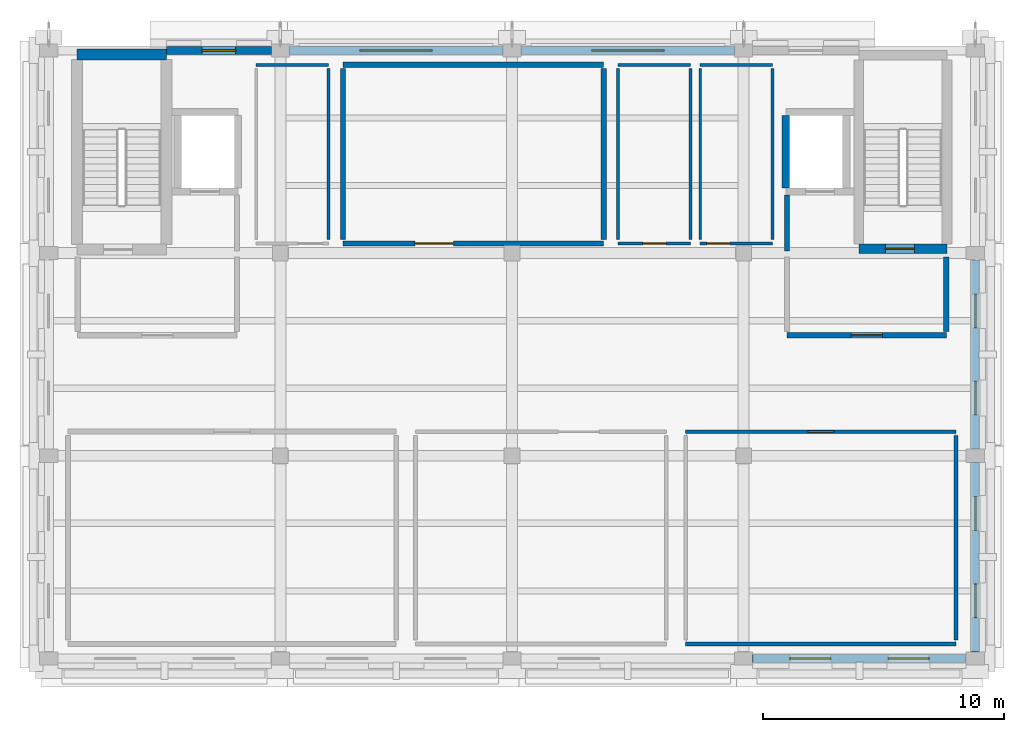
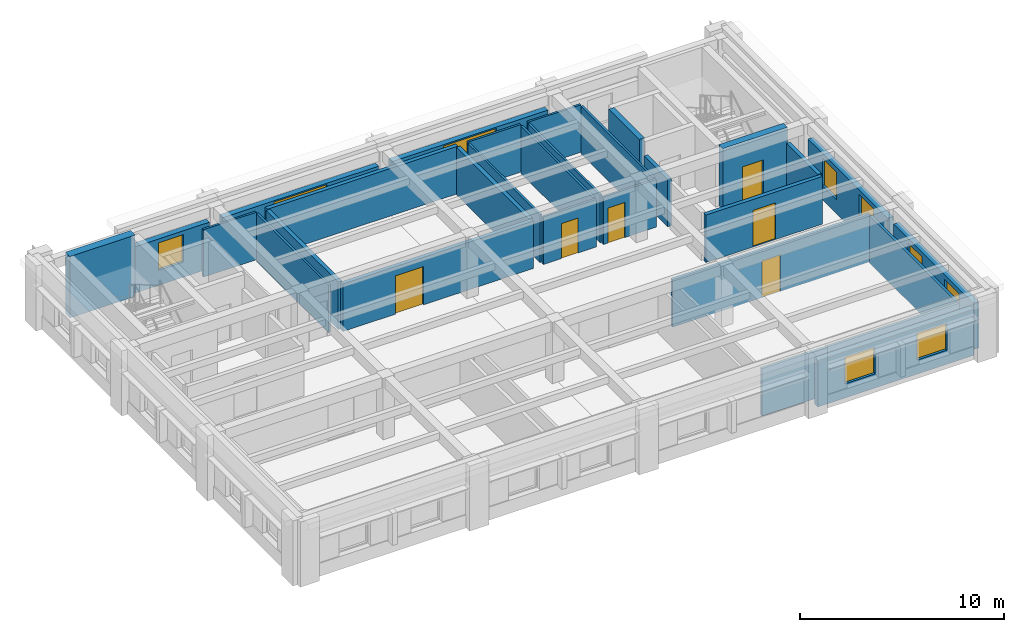
# One storey, part 5 of 9: 29 walls, 9 windows, 6 doors, 15 openings.
"""IFC4 building model written with IfcOpenShell, lengths in metres."""

from ifc_helpers import new_model, si_unit, direction, frame, frame_2d, origin, place, context, subcontext, project, spatial, rectangle, extrude, material, layer, layer_set, type_object, element, fill, save


model = new_model("IFC4")

# Units and contexts
model_context = context("Model", 3, precision=1e-05, world=origin(), true_north=direction((0.0, 1.0)))
body_context = subcontext(model_context, "Body", "Model", "MODEL_VIEW")
ifc_project = project(units=[si_unit("LENGTHUNIT", "METRE"), si_unit("AREAUNIT", "SQUARE_METRE"), si_unit("VOLUMEUNIT", "CUBIC_METRE"), si_unit("PLANEANGLEUNIT", "RADIAN"), si_unit("MASSUNIT", "GRAM", prefix="KILO")], contexts=[model_context])

# Site, building, storey
site_placement = place(None, origin())
site = spatial("IfcSite", under=ifc_project, at=site_placement, CompositionType="ELEMENT")
building_placement = place(site_placement, origin())
building = spatial("IfcBuilding", under=site, at=building_placement, Name="Bempovik Park Faculty of Sciences", CompositionType="ELEMENT")
storey_placement = place(building_placement, frame((0.0, 0.0, 46.199951171875)))
storey = spatial("IfcBuildingStorey", under=building, at=storey_placement, Name="L11", CompositionType="ELEMENT", Elevation=46.199951171875)

# Wall
ifc_material_1 = material(Name="Concrete C40/50", Category="concrete")
ifc_layer_1 = layer(ifc_material_1, 0.449951171875)
ifc_layer_set_1 = layer_set([ifc_layer_1], Name="Concrete C40/50")
wall_type_1 = type_object("IfcWallType", Name="W-15 Wall 450mm", PredefinedType="SHEAR", material=ifc_layer_set_1)
wall_1_placement = place(storey_placement, frame((70.77490234375, 119.22509765625, 0.0), z_axis=(0.0, 0.0, 1.0), x_axis=(1.0, 0.0, 0.0)))
element("IfcWall", 1, at=wall_1_placement, inside=storey, type_object=wall_type_1, Name="ST-1 L11 Core Shear Wall North", PredefinedType="SHEAR", context=body_context, shape_type="SweptSolid", body=[
    extrude(rectangle(XDim=3.7001953125, YDim=0.449951171875, at=frame_2d((1.85009765625, 0.0))), origin(), (0.0, 0.0, 1.0), 3.679931640625),
])

# Wall, opening, door
ifc_material_2 = material(Name="Gypsum acoustic stud assembly")
ifc_layer_2 = layer(ifc_material_2, 0.1201171875)
ifc_layer_set_2 = layer_set([ifc_layer_2], Name="Gypsum acoustic stud assembly")
wall_type_2 = type_object("IfcWallType", Name="W-17 Wall 120mm", PredefinedType="PARTITIONING", material=ifc_layer_set_2)
wall_2_placement = place(storey_placement, frame((93.199951171875, 111.39990234375, 0.0), z_axis=(0.0, 0.0, 1.0), x_axis=(1.0, 0.0, 0.0)))
wall_2 = element("IfcWall", 2, at=wall_2_placement, inside=storey, type_object=wall_type_2, Name="L11 L11 Male WC Partition South", PredefinedType="PARTITIONING", context=body_context, shape_type="SweptSolid", body=[
    extrude(rectangle(XDim=3.0, YDim=0.1201171875, at=frame_2d((1.5, 0.0))), origin(), (0.0, 0.0, 1.0), 2.85009765625),
])
opening_1_placement = place(wall_2_placement, frame((1.02490234375, 0.0, 0.0)))
opening_1 = element("IfcOpeningElement", 3, at=opening_1_placement, cuts=wall_2, Name="Opening D-56", PredefinedType="OPENING", context=body_context, shape_type="SweptSolid", body=[
    extrude(rectangle(XDim=0.949951171875, YDim=2.10009765625, at=frame_2d((0.47509765625, 1.050048828125))), frame((0.0, 0.070068359375, 0.0), z_axis=(0.0, -1.0, 0.0), x_axis=(1.0, 0.0, 0.0)), (0.0, 0.0, 1.0), 0.14013671875),
])
ifc_material_3 = material(Name="West African hardwood finish", Category="wood")
door_type_1 = type_object("IfcDoorType", Name="D-56 Door 950x2100", OperationType="NOTDEFINED", PredefinedType="DOOR", material=ifc_material_3)
door_1_placement = place(opening_1_placement, origin())
door_1 = element("IfcDoor", 4, at=door_1_placement, inside=storey, type_object=door_type_1, Name="L11 L11 Male WC Door", OperationType="SINGLE_SWING_RIGHT", OverallHeight=2.10009765625, OverallWidth=0.949951171875, PredefinedType="DOOR", context=body_context, shape_type="SweptSolid", body=[
    extrude(rectangle(XDim=0.949951171875, YDim=2.10009765625, at=frame_2d((0.47509765625, 1.050048828125))), frame((0.0, 0.02490234375, 0.0), z_axis=(0.0, -1.0, 0.0), x_axis=(1.0, 0.0, 0.0)), (0.0, 0.0, 1.0), 0.050048828125),
])
fill(opening_1, door_1)

# Walls
wall_3_placement = place(storey_placement, frame((93.199951171875, 118.800048828125, 0.0), z_axis=(0.0, 0.0, 1.0), x_axis=(1.0, 0.0, 0.0)))
element("IfcWall", 5, at=wall_3_placement, inside=storey, type_object=wall_type_2, Name="L11 L11 Male WC Partition North", PredefinedType="PARTITIONING", context=body_context, shape_type="SweptSolid", body=[
    extrude(rectangle(XDim=3.0, YDim=0.1201171875, at=frame_2d((1.5, 0.0))), origin(), (0.0, 0.0, 1.0), 2.85009765625),
])
for number, where, z_axis, x_axis, name in (
    (6, (93.199951171875, 111.56005859375, 0.0), (0.0, 0.0, 1.0), (0.0, 1.0, 0.0), "L11 L11 Male WC Partition West"),
    (7, (96.199951171875, 111.56005859375, 0.0), (0.0, 0.0, 1.0), (0.0, 1.0, 0.0), "L11 L11 Male WC Partition East"),
):
    element("IfcWall", number, at=place(storey_placement, frame(where, z_axis=z_axis, x_axis=x_axis)), inside=storey, type_object=wall_type_2, Name=name, PredefinedType="PARTITIONING", context=body_context, shape_type="SweptSolid", body=[
        extrude(rectangle(XDim=7.079833984375, YDim=0.1201171875, at=frame_2d((3.5400390625, 0.0))), origin(), (0.0, 0.0, 1.0), 2.85009765625),
    ])

# Wall, opening, door
wall_4_placement = place(storey_placement, frame((96.60009765625, 111.39990234375, 0.0), z_axis=(0.0, 0.0, 1.0), x_axis=(1.0, 0.0, 0.0)))
wall_4 = element("IfcWall", 8, at=wall_4_placement, inside=storey, type_object=wall_type_2, Name="L11 L11 Female WC Partition South", PredefinedType="PARTITIONING", context=body_context, shape_type="SweptSolid", body=[
    extrude(rectangle(XDim=3.0, YDim=0.1201171875, at=frame_2d((1.5, 0.0))), origin(), (0.0, 0.0, 1.0), 2.85009765625),
])
opening_2_placement = place(wall_4_placement, frame((0.27490234375, 0.0, 0.0)))
opening_2 = element("IfcOpeningElement", 9, at=opening_2_placement, cuts=wall_4, Name="Opening D-56", PredefinedType="OPENING", context=body_context, shape_type="SweptSolid", body=[
    extrude(rectangle(XDim=0.949951171875, YDim=2.10009765625, at=frame_2d((0.47509765625, 1.050048828125))), frame((0.0, 0.070068359375, 0.0), z_axis=(0.0, -1.0, 0.0), x_axis=(1.0, 0.0, 0.0)), (0.0, 0.0, 1.0), 0.14013671875),
])
door_2_placement = place(opening_2_placement, origin())
door_2 = element("IfcDoor", 10, at=door_2_placement, inside=storey, type_object=door_type_1, Name="L11 L11 Female WC Door", OperationType="SINGLE_SWING_LEFT", OverallHeight=2.10009765625, OverallWidth=0.949951171875, PredefinedType="DOOR", context=body_context, shape_type="SweptSolid", body=[
    extrude(rectangle(XDim=0.949951171875, YDim=2.10009765625, at=frame_2d((0.47509765625, 1.050048828125))), frame((0.0, 0.02490234375, 0.0), z_axis=(0.0, -1.0, 0.0), x_axis=(1.0, 0.0, 0.0)), (0.0, 0.0, 1.0), 0.050048828125),
])
fill(opening_2, door_2)

# Walls
wall_5_placement = place(storey_placement, frame((96.60009765625, 118.800048828125, 0.0), z_axis=(0.0, 0.0, 1.0), x_axis=(1.0, 0.0, 0.0)))
element("IfcWall", 11, at=wall_5_placement, inside=storey, type_object=wall_type_2, Name="L11 L11 Female WC Partition North", PredefinedType="PARTITIONING", context=body_context, shape_type="SweptSolid", body=[
    extrude(rectangle(XDim=3.0, YDim=0.1201171875, at=frame_2d((1.5, 0.0))), origin(), (0.0, 0.0, 1.0), 2.85009765625),
])
for number, where, z_axis, x_axis, name in (
    (12, (96.60009765625, 111.56005859375, 0.0), (0.0, 0.0, 1.0), (0.0, 1.0, 0.0), "L11 L11 Female WC Partition West"),
    (13, (99.60009765625, 111.56005859375, 0.0), (0.0, 0.0, 1.0), (0.0, 1.0, 0.0), "L11 L11 Female WC Partition East"),
):
    element("IfcWall", number, at=place(storey_placement, frame(where, z_axis=z_axis, x_axis=x_axis)), inside=storey, type_object=wall_type_2, Name=name, PredefinedType="PARTITIONING", context=body_context, shape_type="SweptSolid", body=[
        extrude(rectangle(XDim=7.079833984375, YDim=0.1201171875, at=frame_2d((3.5400390625, 0.0))), origin(), (0.0, 0.0, 1.0), 2.85009765625),
    ])
wall_6_placement = place(storey_placement, frame((78.199951171875, 118.800048828125, 0.0), z_axis=(0.0, 0.0, 1.0), x_axis=(1.0, 0.0, 0.0)))
element("IfcWall", 14, at=wall_6_placement, inside=storey, type_object=wall_type_2, Name="L11 L11 Accessible WC Partition North", PredefinedType="PARTITIONING", context=body_context, shape_type="SweptSolid", body=[
    extrude(rectangle(XDim=3.0, YDim=0.1201171875, at=frame_2d((1.5, 0.0))), origin(), (0.0, 0.0, 1.0), 2.85009765625),
])
wall_7_placement = place(storey_placement, frame((81.199951171875, 111.56005859375, 0.0), z_axis=(0.0, 0.0, 1.0), x_axis=(0.0, 1.0, 0.0)))
element("IfcWall", 15, at=wall_7_placement, inside=storey, type_object=wall_type_2, Name="L11 L11 Accessible WC Partition East", PredefinedType="PARTITIONING", context=body_context, shape_type="SweptSolid", body=[
    extrude(rectangle(XDim=7.079833984375, YDim=0.1201171875, at=frame_2d((3.5400390625, 0.0))), origin(), (0.0, 0.0, 1.0), 2.85009765625),
])
ifc_layer_3 = layer(ifc_material_1, 0.300048828125)
ifc_layer_set_3 = layer_set([ifc_layer_3], Name="Concrete C40/50")
wall_type_3 = type_object("IfcWallType", Name="W-31 Wall 300mm", PredefinedType="SHEAR", material=ifc_layer_set_3)
wall_8_placement = place(storey_placement, frame((100.14990234375, 113.699951171875, 0.0), z_axis=(0.0, 0.0, 1.0), x_axis=(0.0, 1.0, 0.0)))
element("IfcWall", 16, at=wall_8_placement, inside=storey, type_object=wall_type_3, Name="Lift LF-2 L11 Shaft Wall West", PredefinedType="SHEAR", context=body_context, shape_type="SweptSolid", body=[
    extrude(rectangle(XDim=3.0, YDim=0.300048828125, at=frame_2d((1.5, 0.0))), origin(), (0.0, 0.0, 1.0), 3.679931640625),
])

# Wall, opening, door
ifc_material_4 = material(Name="Concrete C35/45", Category="concrete")
ifc_layer_4 = layer(ifc_material_4, 0.219970703125)
ifc_layer_set_4 = layer_set([ifc_layer_4], Name="Concrete C35/45")
wall_type_4 = type_object("IfcWallType", Name="W-38 Wall 220mm", PredefinedType="PARTITIONING", material=ifc_layer_set_4)
wall_9_placement = place(storey_placement, frame((100.199951171875, 107.60009765625, 0.0), z_axis=(0.0, 0.0, 1.0), x_axis=(1.0, 0.0, 0.0)))
wall_9 = element("IfcWall", 17, at=wall_9_placement, inside=storey, type_object=wall_type_4, Name="L11 Firefighting Lift Lobby East Partition South", PredefinedType="PARTITIONING", context=body_context, shape_type="SweptSolid", body=[
    extrude(rectangle(XDim=6.60009765625, YDim=0.219970703125, at=frame_2d((3.300048828125, 0.0))), origin(), (0.0, 0.0, 1.0), 2.85009765625),
])
opening_3_placement = place(wall_9_placement, frame((2.64990234375, 0.0, 0.0)))
opening_3 = element("IfcOpeningElement", 18, at=opening_3_placement, cuts=wall_9, Name="Opening D-38", PredefinedType="OPENING", context=body_context, shape_type="SweptSolid", body=[
    extrude(rectangle(XDim=1.300048828125, YDim=2.199951171875, at=frame_2d((0.64990234375, 1.10009765625))), frame((0.0, 0.1201171875, 0.0), z_axis=(0.0, -1.0, 0.0), x_axis=(1.0, 0.0, 0.0)), (0.0, 0.0, 1.0), 0.239990234375),
])
ifc_material_5 = material(Name="Painted steel S355", Category="steel")
door_type_2 = type_object("IfcDoorType", Name="D-38 Door 1300x2200", OperationType="NOTDEFINED", PredefinedType="DOOR", material=ifc_material_5)
door_3_placement = place(opening_3_placement, origin())
door_3 = element("IfcDoor", 19, at=door_3_placement, inside=storey, type_object=door_type_2, Name="L11 Firefighting Lift Lobby East Door", OperationType="SINGLE_SWING_LEFT", OverallHeight=2.199951171875, OverallWidth=1.300048828125, PredefinedType="DOOR", context=body_context, shape_type="SweptSolid", body=[
    extrude(rectangle(XDim=1.300048828125, YDim=2.199951171875, at=frame_2d((0.64990234375, 1.10009765625))), frame((0.0, 0.02490234375, 0.0), z_axis=(0.0, -1.0, 0.0), x_axis=(1.0, 0.0, 0.0)), (0.0, 0.0, 1.0), 0.050048828125),
])
fill(opening_3, door_3)

# Walls
wall_10_placement = place(storey_placement, frame((100.199951171875, 111.080078125, 0.0), z_axis=(0.0, 0.0, 1.0), x_axis=(0.0, 1.0, 0.0)))
element("IfcWall", 20, at=wall_10_placement, inside=storey, type_object=wall_type_4, Name="L11 Firefighting Lobby East Lift Link Wall", PredefinedType="PARTITIONING", context=body_context, shape_type="SweptSolid", body=[
    extrude(rectangle(XDim=2.31982421875, YDim=0.219970703125, at=frame_2d((1.159912109375, 0.0))), origin(), (0.0, 0.0, 1.0), 2.85009765625),
])
wall_11_placement = place(storey_placement, frame((106.800048828125, 107.760009765625, 0.0), z_axis=(0.0, 0.0, 1.0), x_axis=(0.0, 1.0, 0.0)))
element("IfcWall", 21, at=wall_11_placement, inside=storey, type_object=wall_type_4, Name="L11 Firefighting Lift Lobby East Partition East", PredefinedType="PARTITIONING", context=body_context, shape_type="SweptSolid", body=[
    extrude(rectangle(XDim=3.080078125, YDim=0.219970703125, at=frame_2d((1.5400390625, 0.0))), origin(), (0.0, 0.0, 1.0), 2.85009765625),
])

# Wall, opening, door
wall_12_placement = place(storey_placement, frame((81.800048828125, 111.39990234375, 0.0), z_axis=(0.0, 0.0, 1.0), x_axis=(1.0, 0.0, 0.0)))
wall_12 = element("IfcWall", 22, at=wall_12_placement, inside=storey, type_object=wall_type_4, Name="L11 Tower Air-Handling and Heat-Recovery Plant Room Partition South", PredefinedType="PARTITIONING", context=body_context, shape_type="SweptSolid", body=[
    extrude(rectangle(XDim=10.800048828125, YDim=0.219970703125, at=frame_2d((5.39990234375, 0.0))), origin(), (0.0, 0.0, 1.0), 2.85009765625),
])
opening_4_placement = place(wall_12_placement, frame((2.97998046875, 0.0, 0.0)))
opening_4 = element("IfcOpeningElement", 23, at=opening_4_placement, cuts=wall_12, Name="Opening D-37", PredefinedType="OPENING", context=body_context, shape_type="SweptSolid", body=[
    extrude(rectangle(XDim=1.60009765625, YDim=2.300048828125, at=frame_2d((0.800048828125, 1.14990234375))), frame((0.0, 0.1201171875, 0.0), z_axis=(0.0, -1.0, 0.0), x_axis=(1.0, 0.0, 0.0)), (0.0, 0.0, 1.0), 0.239990234375),
])
door_type_3 = type_object("IfcDoorType", Name="D-37 Door 1600x2300", OperationType="NOTDEFINED", PredefinedType="DOOR", material=ifc_material_5)
door_4_placement = place(opening_4_placement, origin())
door_4 = element("IfcDoor", 24, at=door_4_placement, inside=storey, type_object=door_type_3, Name="L11 Tower Air-Handling and Heat-Recovery Plant Room Door", OperationType="SINGLE_SWING_LEFT", OverallHeight=2.300048828125, OverallWidth=1.60009765625, PredefinedType="DOOR", context=body_context, shape_type="SweptSolid", body=[
    extrude(rectangle(XDim=1.60009765625, YDim=2.300048828125, at=frame_2d((0.800048828125, 1.14990234375))), frame((0.0, 0.02490234375, 0.0), z_axis=(0.0, -1.0, 0.0), x_axis=(1.0, 0.0, 0.0)), (0.0, 0.0, 1.0), 0.050048828125),
])
fill(opening_4, door_4)

# Walls
wall_13_placement = place(storey_placement, frame((81.800048828125, 118.800048828125, 0.0), z_axis=(0.0, 0.0, 1.0), x_axis=(1.0, 0.0, 0.0)))
element("IfcWall", 25, at=wall_13_placement, inside=storey, type_object=wall_type_4, Name="L11 Tower Air-Handling and Heat-Recovery Plant Room Partition North", PredefinedType="PARTITIONING", context=body_context, shape_type="SweptSolid", body=[
    extrude(rectangle(XDim=10.800048828125, YDim=0.219970703125, at=frame_2d((5.39990234375, 0.0))), origin(), (0.0, 0.0, 1.0), 2.85009765625),
])
for number, where, z_axis, x_axis, name in (
    (26, (81.800048828125, 111.56005859375, 0.0), (0.0, 0.0, 1.0), (0.0, 1.0, 0.0), "L11 Tower Air-Handling and Heat-Recovery Plant Room Partition West"),
    (27, (92.60009765625, 111.56005859375, 0.0), (0.0, 0.0, 1.0), (0.0, 1.0, 0.0), "L11 Tower Air-Handling and Heat-Recovery Plant Room Partition East"),
):
    element("IfcWall", number, at=place(storey_placement, frame(where, z_axis=z_axis, x_axis=x_axis)), inside=storey, type_object=wall_type_4, Name=name, PredefinedType="PARTITIONING", context=body_context, shape_type="SweptSolid", body=[
        extrude(rectangle(XDim=7.079833984375, YDim=0.219970703125, at=frame_2d((3.5400390625, 0.0))), origin(), (0.0, 0.0, 1.0), 2.85009765625),
    ])
ifc_layer_5 = layer(ifc_material_2, 0.14990234375)
ifc_layer_set_5 = layer_set([ifc_layer_5], Name="Gypsum acoustic stud assembly")
wall_type_5 = type_object("IfcWallType", Name="W-42 Wall 150mm", PredefinedType="PARTITIONING", material=ifc_layer_set_5)
wall_14_placement = place(storey_placement, frame((96.0, 94.800048828125, 0.0), z_axis=(0.0, 0.0, 1.0), x_axis=(1.0, 0.0, 0.0)))
element("IfcWall", 28, at=wall_14_placement, inside=storey, type_object=wall_type_5, Name="L11 Faculty Advisory Boardroom Partition South", PredefinedType="PARTITIONING", context=body_context, shape_type="SweptSolid", body=[
    extrude(rectangle(XDim=11.199951171875, YDim=0.14990234375, at=frame_2d((5.60009765625, 0.0))), origin(), (0.0, 0.0, 1.0), 2.85009765625),
])

# Wall, opening, door
wall_15_placement = place(storey_placement, frame((96.0, 103.60009765625, 0.0), z_axis=(0.0, 0.0, 1.0), x_axis=(1.0, 0.0, 0.0)))
wall_15 = element("IfcWall", 29, at=wall_15_placement, inside=storey, type_object=wall_type_5, Name="L11 Faculty Advisory Boardroom Partition North", PredefinedType="PARTITIONING", context=body_context, shape_type="SweptSolid", body=[
    extrude(rectangle(XDim=11.199951171875, YDim=0.14990234375, at=frame_2d((5.60009765625, 0.0))), origin(), (0.0, 0.0, 1.0), 2.85009765625),
])
opening_5_placement = place(wall_15_placement, frame((5.074951171875, 0.0, 0.0)))
opening_5 = element("IfcOpeningElement", 30, at=opening_5_placement, cuts=wall_15, Name="Opening D-16", PredefinedType="OPENING", context=body_context, shape_type="SweptSolid", body=[
    extrude(rectangle(XDim=1.050048828125, YDim=2.199951171875, at=frame_2d((0.52490234375, 1.10009765625))), frame((0.0, 0.0849609375, 0.0), z_axis=(0.0, -1.0, 0.0), x_axis=(1.0, 0.0, 0.0)), (0.0, 0.0, 1.0), 0.169921875),
])
door_type_4 = type_object("IfcDoorType", Name="D-16 Door 1050x2200", OperationType="NOTDEFINED", PredefinedType="DOOR", material=ifc_material_3)
door_5_placement = place(opening_5_placement, origin())
door_5 = element("IfcDoor", 31, at=door_5_placement, inside=storey, type_object=door_type_4, Name="L11 Faculty Advisory Boardroom Door", OperationType="SINGLE_SWING_RIGHT", OverallHeight=2.199951171875, OverallWidth=1.050048828125, PredefinedType="DOOR", context=body_context, shape_type="SweptSolid", body=[
    extrude(rectangle(XDim=1.050048828125, YDim=2.199951171875, at=frame_2d((0.52490234375, 1.10009765625))), frame((0.0, 0.02490234375, 0.0), z_axis=(0.0, -1.0, 0.0), x_axis=(1.0, 0.0, 0.0)), (0.0, 0.0, 1.0), 0.050048828125),
])
fill(opening_5, door_5)

# Wall
wall_16_placement = place(storey_placement, frame((107.199951171875, 94.9599609375, 0.0), z_axis=(0.0, 0.0, 1.0), x_axis=(0.0, 1.0, 0.0)))
element("IfcWall", 32, at=wall_16_placement, inside=storey, type_object=wall_type_5, Name="L11 Faculty Advisory Boardroom Partition East", PredefinedType="PARTITIONING", context=body_context, shape_type="SweptSolid", body=[
    extrude(rectangle(XDim=8.47998046875, YDim=0.14990234375, at=frame_2d((4.239990234375, 0.0))), origin(), (0.0, 0.0, 1.0), 2.85009765625),
])

# Wall, opening, door
ifc_layer_6 = layer(ifc_material_1, 0.39990234375)
ifc_layer_set_6 = layer_set([ifc_layer_6], Name="Concrete C40/50")
wall_type_6 = type_object("IfcWallType", Name="W-47 Wall 400mm", PredefinedType="SHEAR", material=ifc_layer_set_6)
wall_17_placement = place(storey_placement, frame((103.175048828125, 111.175048828125, 0.0), z_axis=(0.0, 0.0, 1.0), x_axis=(1.0, 0.0, 0.0)))
wall_17 = element("IfcWall", 33, at=wall_17_placement, inside=storey, type_object=wall_type_6, Name="ST-2 L11 Core Shear Wall South", PredefinedType="SHEAR", context=body_context, shape_type="SweptSolid", body=[
    extrude(rectangle(XDim=3.64990234375, YDim=0.39990234375, at=frame_2d((1.824951171875, 0.0))), origin(), (0.0, 0.0, 1.0), 3.679931640625),
])
opening_6_placement = place(wall_17_placement, frame((1.10009765625, 0.0, 0.0)))
opening_6 = element("IfcOpeningElement", 34, at=opening_6_placement, cuts=wall_17, Name="Opening D-49", PredefinedType="OPENING", context=body_context, shape_type="SweptSolid", body=[
    extrude(rectangle(XDim=1.199951171875, YDim=2.199951171875, at=frame_2d((0.60009765625, 1.10009765625))), frame((0.0, 0.2099609375, 0.0), z_axis=(0.0, -1.0, 0.0), x_axis=(1.0, 0.0, 0.0)), (0.0, 0.0, 1.0), 0.419921875),
])
door_type_5 = type_object("IfcDoorType", Name="D-49 Door 1200x2200", OperationType="NOTDEFINED", PredefinedType="DOOR", material=ifc_material_5)
door_6_placement = place(opening_6_placement, origin())
door_6 = element("IfcDoor", 35, at=door_6_placement, inside=storey, type_object=door_type_5, Name="ST-2 L11 Protected Stair Smoke Door", OperationType="SINGLE_SWING_LEFT", OverallHeight=2.199951171875, OverallWidth=1.199951171875, PredefinedType="DOOR", context=body_context, shape_type="SweptSolid", body=[
    extrude(rectangle(XDim=1.199951171875, YDim=2.199951171875, at=frame_2d((0.60009765625, 1.10009765625))), frame((0.0, 0.02490234375, 0.0), z_axis=(0.0, -1.0, 0.0), x_axis=(1.0, 0.0, 0.0)), (0.0, 0.0, 1.0), 0.050048828125),
])
fill(opening_6, door_6)

# Wall, openings, windows
ifc_material_6 = material(Name="Precast concrete C40/50", Category="concrete")
ifc_layer_7 = layer(ifc_material_6, 0.320068359375)
ifc_layer_set_7 = layer_set([ifc_layer_7], Name="Precast concrete C40/50")
wall_type_7 = type_object("IfcWallType", Name="W-56 Wall 320mm", PredefinedType="SOLIDWALL", material=ifc_layer_set_7)
wall_18_placement = place(storey_placement, frame((108.0, 94.47705078125, 0.0), z_axis=(0.0, 0.0, 1.0), x_axis=(0.0, 1.0, 0.0)))
wall_18 = element("IfcWall", 36, at=wall_18_placement, inside=storey, type_object=wall_type_7, Name="L11 Classical Precast Facade Wall EW-L11-11289", PredefinedType="SOLIDWALL", context=body_context, shape_type="SweptSolid", body=[
    extrude(rectangle(XDim=7.845947265625, YDim=0.320068359375, at=frame_2d((3.9228515625, 0.0))), origin(), (0.0, 0.0, 1.0), 2.780029296875),
])
opening_7_placement = place(wall_18_placement, frame((1.41845703125, 0.0, 0.85009765625)))
opening_7 = element("IfcOpeningElement", 37, at=opening_7_placement, cuts=wall_18, Name="Opening WN-84", PredefinedType="OPENING", context=body_context, shape_type="SweptSolid", body=[
    extrude(rectangle(XDim=1.39990234375, YDim=1.64990234375, at=frame_2d((0.699951171875, 0.824951171875))), frame((0.0, 0.169921875, 0.0), z_axis=(0.0, -1.0, 0.0), x_axis=(1.0, 0.0, 0.0)), (0.0, 0.0, 1.0), 0.340087890625),
])
opening_8_placement = place(wall_18_placement, frame((5.027587890625, 0.0, 0.85009765625)))
opening_8 = element("IfcOpeningElement", 38, at=opening_8_placement, cuts=wall_18, Name="Opening WN-84", PredefinedType="OPENING", context=body_context, shape_type="SweptSolid", body=[
    extrude(rectangle(XDim=1.39990234375, YDim=1.64990234375, at=frame_2d((0.699951171875, 0.824951171875))), frame((0.0, 0.169921875, 0.0), z_axis=(0.0, -1.0, 0.0), x_axis=(1.0, 0.0, 0.0)), (0.0, 0.0, 1.0), 0.340087890625),
])
ifc_material_7 = material(Name="Tempered laminated low-E glass", Category="glass")
window_type_1 = type_object("IfcWindowType", Name="WN-84 Window 1400x1650", PartitioningType="SINGLE_PANEL", PredefinedType="WINDOW", material=ifc_material_7)
window_1_placement = place(opening_7_placement, origin())
window_1 = element("IfcWindow", 39, at=window_1_placement, inside=storey, type_object=window_type_1, Name="L11 Window EW-L11-11289-1", OverallHeight=1.64990234375, OverallWidth=1.39990234375, PartitioningType="SINGLE_PANEL", PredefinedType="WINDOW", context=body_context, shape_type="SweptSolid", body=[
    extrude(rectangle(XDim=1.39990234375, YDim=1.64990234375, at=frame_2d((0.699951171875, 0.824951171875))), frame((0.0, 0.030029296875, 0.0), z_axis=(0.0, -1.0, 0.0), x_axis=(1.0, 0.0, 0.0)), (0.0, 0.0, 1.0), 0.06005859375),
])
fill(opening_7, window_1)
window_2_placement = place(opening_8_placement, origin())
window_2 = element("IfcWindow", 40, at=window_2_placement, inside=storey, type_object=window_type_1, Name="L11 Window EW-L11-11289-2", OverallHeight=1.64990234375, OverallWidth=1.39990234375, PartitioningType="SINGLE_PANEL", PredefinedType="WINDOW", context=body_context, shape_type="SweptSolid", body=[
    extrude(rectangle(XDim=1.39990234375, YDim=1.64990234375, at=frame_2d((0.699951171875, 0.824951171875))), frame((0.0, 0.030029296875, 0.0), z_axis=(0.0, -1.0, 0.0), x_axis=(1.0, 0.0, 0.0)), (0.0, 0.0, 1.0), 0.06005859375),
])
fill(opening_8, window_2)

wall_19_placement = place(storey_placement, frame((108.0, 102.876953125, 0.0), z_axis=(0.0, 0.0, 1.0), x_axis=(0.0, 1.0, 0.0)))
wall_19 = element("IfcWall", 41, at=wall_19_placement, inside=storey, type_object=wall_type_7, Name="L11 Classical Precast Facade Wall EW-L11-11303", PredefinedType="SOLIDWALL", context=body_context, shape_type="SweptSolid", body=[
    extrude(rectangle(XDim=7.845947265625, YDim=0.320068359375, at=frame_2d((3.9228515625, 0.0))), origin(), (0.0, 0.0, 1.0), 2.780029296875),
])
opening_9_placement = place(wall_19_placement, frame((1.41845703125, 0.0, 0.85009765625)))
opening_9 = element("IfcOpeningElement", 42, at=opening_9_placement, cuts=wall_19, Name="Opening WN-84", PredefinedType="OPENING", context=body_context, shape_type="SweptSolid", body=[
    extrude(rectangle(XDim=1.39990234375, YDim=1.64990234375, at=frame_2d((0.699951171875, 0.824951171875))), frame((0.0, 0.169921875, 0.0), z_axis=(0.0, -1.0, 0.0), x_axis=(1.0, 0.0, 0.0)), (0.0, 0.0, 1.0), 0.340087890625),
])
opening_10_placement = place(wall_19_placement, frame((5.027587890625, 0.0, 0.85009765625)))
opening_10 = element("IfcOpeningElement", 43, at=opening_10_placement, cuts=wall_19, Name="Opening WN-84", PredefinedType="OPENING", context=body_context, shape_type="SweptSolid", body=[
    extrude(rectangle(XDim=1.39990234375, YDim=1.64990234375, at=frame_2d((0.699951171875, 0.824951171875))), frame((0.0, 0.169921875, 0.0), z_axis=(0.0, -1.0, 0.0), x_axis=(1.0, 0.0, 0.0)), (0.0, 0.0, 1.0), 0.340087890625),
])
window_3_placement = place(opening_9_placement, origin())
window_3 = element("IfcWindow", 44, at=window_3_placement, inside=storey, type_object=window_type_1, Name="L11 Window EW-L11-11303-1", OverallHeight=1.64990234375, OverallWidth=1.39990234375, PartitioningType="SINGLE_PANEL", PredefinedType="WINDOW", context=body_context, shape_type="SweptSolid", body=[
    extrude(rectangle(XDim=1.39990234375, YDim=1.64990234375, at=frame_2d((0.699951171875, 0.824951171875))), frame((0.0, 0.030029296875, 0.0), z_axis=(0.0, -1.0, 0.0), x_axis=(1.0, 0.0, 0.0)), (0.0, 0.0, 1.0), 0.06005859375),
])
fill(opening_9, window_3)
window_4_placement = place(opening_10_placement, origin())
window_4 = element("IfcWindow", 45, at=window_4_placement, inside=storey, type_object=window_type_1, Name="L11 Window EW-L11-11303-2", OverallHeight=1.64990234375, OverallWidth=1.39990234375, PartitioningType="SINGLE_PANEL", PredefinedType="WINDOW", context=body_context, shape_type="SweptSolid", body=[
    extrude(rectangle(XDim=1.39990234375, YDim=1.64990234375, at=frame_2d((0.699951171875, 0.824951171875))), frame((0.0, 0.030029296875, 0.0), z_axis=(0.0, -1.0, 0.0), x_axis=(1.0, 0.0, 0.0)), (0.0, 0.0, 1.0), 0.06005859375),
])
fill(opening_10, window_4)

# Wall, opening, window
wall_20_placement = place(storey_placement, frame((74.47607421875, 119.39990234375, 0.0), z_axis=(0.0, 0.0, 1.0), x_axis=(1.0, 0.0, 0.0)))
wall_20 = element("IfcWall", 46, at=wall_20_placement, inside=storey, type_object=wall_type_7, Name="L11 Classical Precast Facade Wall EW-L11-11329", PredefinedType="SOLIDWALL", context=body_context, shape_type="SweptSolid", body=[
    extrude(rectangle(XDim=4.346923828125, YDim=0.320068359375, at=frame_2d((2.17333984375, 0.0))), origin(), (0.0, 0.0, 1.0), 2.780029296875),
])
opening_11_placement = place(wall_20_placement, frame((1.473388671875, 0.0, 0.89990234375)))
opening_11 = element("IfcOpeningElement", 47, at=opening_11_placement, cuts=wall_20, Name="Opening WN-84", PredefinedType="OPENING", context=body_context, shape_type="SweptSolid", body=[
    extrude(rectangle(XDim=1.39990234375, YDim=1.64990234375, at=frame_2d((0.699951171875, 0.824951171875))), frame((0.0, 0.169921875, 0.0), z_axis=(0.0, -1.0, 0.0), x_axis=(1.0, 0.0, 0.0)), (0.0, 0.0, 1.0), 0.340087890625),
])
window_5_placement = place(opening_11_placement, origin())
window_5 = element("IfcWindow", 48, at=window_5_placement, inside=storey, type_object=window_type_1, Name="L11 Stairwell Classical Lancet Window EW-L11-11329", OverallHeight=1.64990234375, OverallWidth=1.39990234375, PartitioningType="SINGLE_PANEL", PredefinedType="WINDOW", context=body_context, shape_type="SweptSolid", body=[
    extrude(rectangle(XDim=1.39990234375, YDim=1.64990234375, at=frame_2d((0.699951171875, 0.824951171875))), frame((0.0, 0.030029296875, 0.0), z_axis=(0.0, -1.0, 0.0), x_axis=(1.0, 0.0, 0.0)), (0.0, 0.0, 1.0), 0.06005859375),
])
fill(opening_11, window_5)

wall_21_placement = place(storey_placement, frame((79.576904296875, 119.39990234375, 0.0), z_axis=(0.0, 0.0, 1.0), x_axis=(1.0, 0.0, 0.0)))
wall_21 = element("IfcWall", 49, at=wall_21_placement, inside=storey, type_object=wall_type_7, Name="L11 Classical Precast Facade Wall EW-L11-11337", PredefinedType="SOLIDWALL", context=body_context, shape_type="SweptSolid", body=[
    extrude(rectangle(XDim=8.84619140625, YDim=0.320068359375, at=frame_2d((4.423095703125, 0.0))), origin(), (0.0, 0.0, 1.0), 2.780029296875),
])
opening_12_placement = place(wall_21_placement, frame((2.923095703125, 0.0, 1.35009765625)))
opening_12 = element("IfcOpeningElement", 50, at=opening_12_placement, cuts=wall_21, Name="Opening WN-53", PredefinedType="OPENING", context=body_context, shape_type="SweptSolid", body=[
    extrude(rectangle(XDim=3.0, YDim=1.35009765625, at=frame_2d((1.5, 0.675048828125))), frame((0.0, 0.169921875, 0.0), z_axis=(0.0, -1.0, 0.0), x_axis=(1.0, 0.0, 0.0)), (0.0, 0.0, 1.0), 0.340087890625),
])
window_type_2 = type_object("IfcWindowType", Name="WN-53 Window 3000x1350", PartitioningType="SINGLE_PANEL", PredefinedType="WINDOW", material=ifc_material_7)
window_6_placement = place(opening_12_placement, origin())
window_6 = element("IfcWindow", 51, at=window_6_placement, inside=storey, type_object=window_type_2, Name="L11 Plant Clerestory Window EW-L11-11337", OverallHeight=1.35009765625, OverallWidth=3.0, PartitioningType="SINGLE_PANEL", PredefinedType="WINDOW", context=body_context, shape_type="SweptSolid", body=[
    extrude(rectangle(XDim=3.0, YDim=1.35009765625, at=frame_2d((1.5, 0.675048828125))), frame((0.0, 0.030029296875, 0.0), z_axis=(0.0, -1.0, 0.0), x_axis=(1.0, 0.0, 0.0)), (0.0, 0.0, 1.0), 0.06005859375),
])
fill(opening_12, window_6)

wall_22_placement = place(storey_placement, frame((89.177001953125, 119.39990234375, 0.0), z_axis=(0.0, 0.0, 1.0), x_axis=(1.0, 0.0, 0.0)))
wall_22 = element("IfcWall", 52, at=wall_22_placement, inside=storey, type_object=wall_type_7, Name="L11 Classical Precast Facade Wall EW-L11-11343", PredefinedType="SOLIDWALL", context=body_context, shape_type="SweptSolid", body=[
    extrude(rectangle(XDim=8.845947265625, YDim=0.320068359375, at=frame_2d((4.4228515625, 0.0))), origin(), (0.0, 0.0, 1.0), 2.780029296875),
])
opening_13_placement = place(wall_22_placement, frame((2.923095703125, 0.0, 1.35009765625)))
opening_13 = element("IfcOpeningElement", 53, at=opening_13_placement, cuts=wall_22, Name="Opening WN-53", PredefinedType="OPENING", context=body_context, shape_type="SweptSolid", body=[
    extrude(rectangle(XDim=3.0, YDim=1.35009765625, at=frame_2d((1.5, 0.675048828125))), frame((0.0, 0.169921875, 0.0), z_axis=(0.0, -1.0, 0.0), x_axis=(1.0, 0.0, 0.0)), (0.0, 0.0, 1.0), 0.340087890625),
])
window_7_placement = place(opening_13_placement, origin())
window_7 = element("IfcWindow", 54, at=window_7_placement, inside=storey, type_object=window_type_2, Name="L11 Plant Clerestory Window EW-L11-11343", OverallHeight=1.35009765625, OverallWidth=3.0, PartitioningType="SINGLE_PANEL", PredefinedType="WINDOW", context=body_context, shape_type="SweptSolid", body=[
    extrude(rectangle(XDim=3.0, YDim=1.35009765625, at=frame_2d((1.5, 0.675048828125))), frame((0.0, 0.030029296875, 0.0), z_axis=(0.0, -1.0, 0.0), x_axis=(1.0, 0.0, 0.0)), (0.0, 0.0, 1.0), 0.06005859375),
])
fill(opening_13, window_7)

# Wall, openings, windows
wall_23_placement = place(storey_placement, frame((98.777099609375, 94.199951171875, 0.0), z_axis=(0.0, 0.0, 1.0), x_axis=(1.0, 0.0, 0.0)))
wall_23 = element("IfcWall", 55, at=wall_23_placement, inside=storey, type_object=wall_type_7, Name="L11 Classical Precast Facade Wall EW-L11-11434", PredefinedType="SOLIDWALL", context=body_context, shape_type="SweptSolid", body=[
    extrude(rectangle(XDim=8.845947265625, YDim=0.320068359375, at=frame_2d((4.4228515625, 0.0))), origin(), (0.0, 0.0, 1.0), 2.780029296875),
])
opening_14_placement = place(wall_23_placement, frame((1.538330078125, 0.0, 0.85009765625)))
opening_14 = element("IfcOpeningElement", 56, at=opening_14_placement, cuts=wall_23, Name="Opening WN-73", PredefinedType="OPENING", context=body_context, shape_type="SweptSolid", body=[
    extrude(rectangle(XDim=1.699951171875, YDim=1.60009765625, at=frame_2d((0.85009765625, 0.800048828125))), frame((0.0, 0.169921875, 0.0), z_axis=(0.0, -1.0, 0.0), x_axis=(1.0, 0.0, 0.0)), (0.0, 0.0, 1.0), 0.340087890625),
])
opening_15_placement = place(wall_23_placement, frame((5.607666015625, 0.0, 0.85009765625)))
opening_15 = element("IfcOpeningElement", 57, at=opening_15_placement, cuts=wall_23, Name="Opening WN-73", PredefinedType="OPENING", context=body_context, shape_type="SweptSolid", body=[
    extrude(rectangle(XDim=1.699951171875, YDim=1.60009765625, at=frame_2d((0.85009765625, 0.800048828125))), frame((0.0, 0.169921875, 0.0), z_axis=(0.0, -1.0, 0.0), x_axis=(1.0, 0.0, 0.0)), (0.0, 0.0, 1.0), 0.340087890625),
])
window_type_3 = type_object("IfcWindowType", Name="WN-73 Window 1700x1600", PartitioningType="SINGLE_PANEL", PredefinedType="WINDOW", material=ifc_material_7)
window_8_placement = place(opening_14_placement, origin())
window_8 = element("IfcWindow", 58, at=window_8_placement, inside=storey, type_object=window_type_3, Name="L11 Window EW-L11-11434-1", OverallHeight=1.60009765625, OverallWidth=1.699951171875, PartitioningType="SINGLE_PANEL", PredefinedType="WINDOW", context=body_context, shape_type="SweptSolid", body=[
    extrude(rectangle(XDim=1.699951171875, YDim=1.60009765625, at=frame_2d((0.85009765625, 0.800048828125))), frame((0.0, 0.030029296875, 0.0), z_axis=(0.0, -1.0, 0.0), x_axis=(1.0, 0.0, 0.0)), (0.0, 0.0, 1.0), 0.06005859375),
])
fill(opening_14, window_8)
window_9_placement = place(opening_15_placement, origin())
window_9 = element("IfcWindow", 59, at=window_9_placement, inside=storey, type_object=window_type_3, Name="L11 Window EW-L11-11434-2", OverallHeight=1.60009765625, OverallWidth=1.699951171875, PartitioningType="SINGLE_PANEL", PredefinedType="WINDOW", context=body_context, shape_type="SweptSolid", body=[
    extrude(rectangle(XDim=1.699951171875, YDim=1.60009765625, at=frame_2d((0.85009765625, 0.800048828125))), frame((0.0, 0.030029296875, 0.0), z_axis=(0.0, -1.0, 0.0), x_axis=(1.0, 0.0, 0.0)), (0.0, 0.0, 1.0), 0.06005859375),
])
fill(opening_15, window_9)

save(model, "model.ifc")
